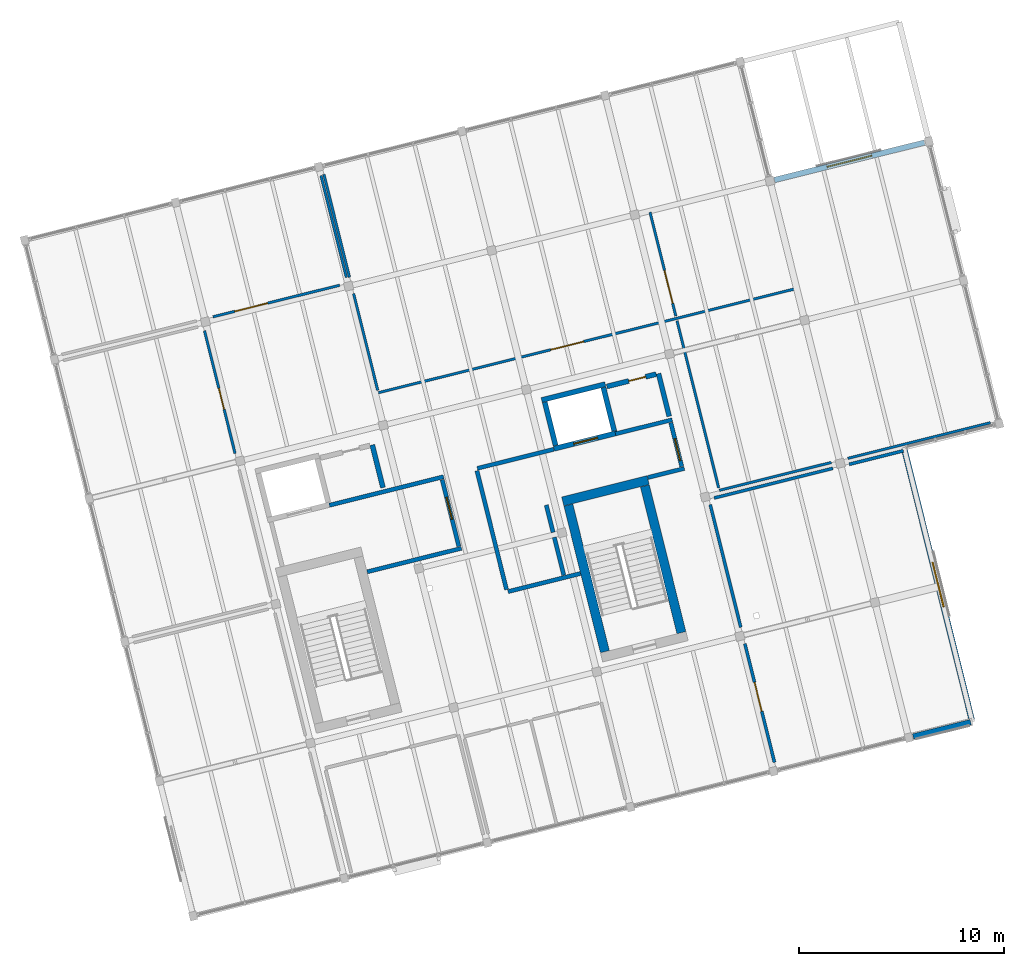
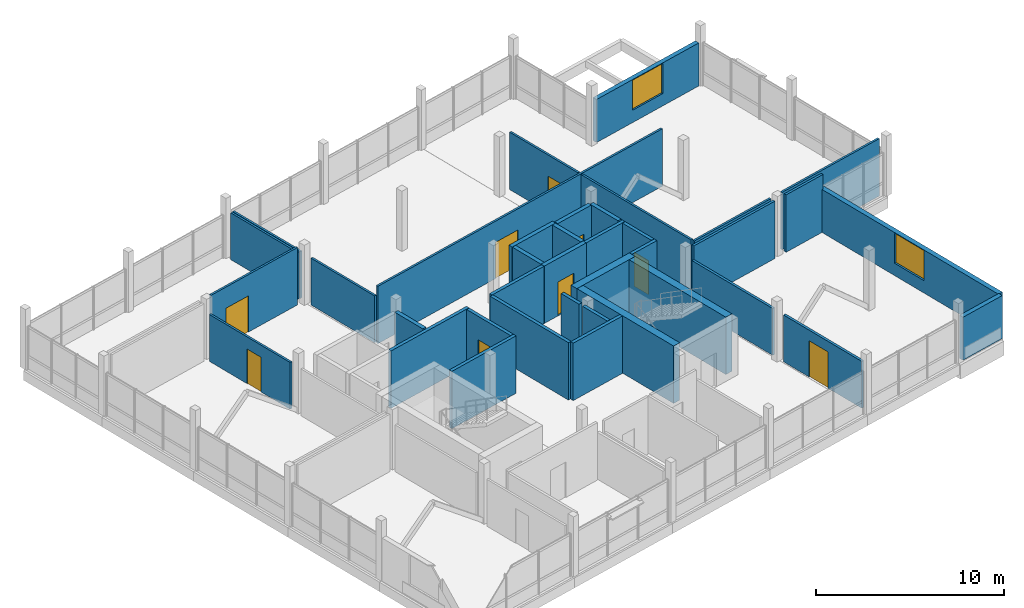
# One storey, part 25 of 27: 38 walls, 9 doors, 2 windows, 11 openings.
"""IFC4 building model written with IfcOpenShell, lengths in metres."""

from ifc_helpers import new_model, si_unit, direction, frame, frame_2d, origin, place, context, subcontext, project, spatial, rectangle, extrude, material, layer, layer_set, type_object, element, fill, save


model = new_model("IFC4")

# Units and contexts
model_context = context("Model", 3, precision=1e-05, world=origin(), true_north=direction((0.0, 1.0)))
body_context = subcontext(model_context, "Body", "Model", "MODEL_VIEW")
ifc_project = project(units=[si_unit("LENGTHUNIT", "METRE"), si_unit("AREAUNIT", "SQUARE_METRE"), si_unit("VOLUMEUNIT", "CUBIC_METRE"), si_unit("PLANEANGLEUNIT", "RADIAN"), si_unit("MASSUNIT", "GRAM", prefix="KILO")], contexts=[model_context])

# Site, building, storey
site_placement = place(None, origin())
site = spatial("IfcSite", under=ifc_project, at=site_placement, CompositionType="ELEMENT")
building_placement = place(site_placement, origin())
building = spatial("IfcBuilding", under=site, at=building_placement, Name="Meriwether Solvik Hall", CompositionType="ELEMENT")
storey_placement = place(building_placement, frame((0.0, 0.0, 33.89990234375)))
storey = spatial("IfcBuildingStorey", under=building, at=storey_placement, Name="L08", CompositionType="ELEMENT", Elevation=33.89990234375)

# Wall
ifc_material_1 = material(Name="Charred Western Red Cedar Timber and Mineral Wool", Category="wood")
ifc_layer_1 = layer(ifc_material_1, 0.27001953125)
ifc_layer_set_1 = layer_set([ifc_layer_1], Name="Charred Western Red Cedar Timber and Mineral Wool")
wall_type_1 = type_object("IfcWallType", Name="WALL-EXT-270", PredefinedType="SOLIDWALL", material=ifc_layer_set_1)
wall_1_placement = place(storey_placement, frame((106.557861328125, 50.6640625, 0.0), z_axis=(0.0, 0.0, 1.0), x_axis=(-0.97028604727, -0.241960712665, 0.0)))
element("IfcWall", 1, at=wall_1_placement, inside=storey, type_object=wall_type_1, Name="L08 Timber Rainscreen Wall 1.5", PredefinedType="SOLIDWALL", context=body_context, shape_type="SweptSolid", body=[
    extrude(rectangle(XDim=2.89794921875, YDim=0.27001953125, at=frame_2d((1.448974609375, 0.0))), origin(), (0.0, 0.0, 1.0), 2.7900390625),
])

# Wall, opening, window
wall_2_placement = place(storey_placement, frame((96.97216796875, 77.131103515625, 0.0), z_axis=(0.0, 0.0, 1.0), x_axis=(0.970290568044, 0.2419425832, 0.0)))
wall_2 = element("IfcWall", 2, at=wall_2_placement, inside=storey, type_object=wall_type_1, Name="L08 Timber Rainscreen Wall 5.0", PredefinedType="SOLIDWALL", context=body_context, shape_type="SweptSolid", body=[
    extrude(rectangle(XDim=7.555908203125, YDim=0.27001953125, at=frame_2d((3.77783203125, 0.0))), origin(), (0.0, 0.0, 1.0), 2.7900390625),
])
opening_1_placement = place(wall_2_placement, frame((2.653076171875, 0.0, 0.800048828125)))
opening_1 = element("IfcOpeningElement", 3, at=opening_1_placement, cuts=wall_2, Name="Opening WN-150", PredefinedType="OPENING", context=body_context, shape_type="SweptSolid", body=[
    extrude(rectangle(XDim=2.25, YDim=1.949951171875, at=frame_2d((1.125, 0.97509765625))), frame((0.0, 0.14697265625, 0.0), z_axis=(0.0, -1.0, 0.0), x_axis=(1.0, 0.0, 0.0)), (0.0, 0.0, 1.0), 0.2939453125),
])
ifc_material_2 = material(Name="Thermally Broken Anodised Aluminium and Triple Low-E Glass", Category="aluminium")
window_type = type_object("IfcWindowType", Name="WIN-TW-SHARD-225X195", PartitioningType="SINGLE_PANEL", PredefinedType="WINDOW", material=ifc_material_2)
window_1_placement = place(opening_1_placement, origin())
window_1 = element("IfcWindow", 4, at=window_1_placement, inside=storey, type_object=window_type, Name="L08 Punched Window 5.0", OverallHeight=1.949951171875, OverallWidth=2.25, PartitioningType="SINGLE_PANEL", PredefinedType="WINDOW", context=body_context, shape_type="SweptSolid", body=[
    extrude(rectangle(XDim=2.25, YDim=1.949951171875, at=frame_2d((1.125, 0.97509765625))), frame((0.0, 0.030029296875, 0.0), z_axis=(0.0, -1.0, 0.0), x_axis=(1.0, 0.0, 0.0)), (0.0, 0.0, 1.0), 0.06005859375),
])
fill(opening_1, window_1)

ifc_material_3 = material(Name="Cross-Laminated Timber and Mineral-Wool Insulation", Category="wood")
ifc_layer_2 = layer(ifc_material_3, 0.2900390625)
ifc_layer_set_2 = layer_set([ifc_layer_2], Name="Cross-Laminated Timber and Mineral-Wool Insulation")
wall_type_2 = type_object("IfcWallType", Name="WALL-EXT-290", PredefinedType="SOLIDWALL", material=ifc_layer_set_2)
wall_3_placement = place(storey_placement, frame((103.31640625, 63.995849609375, 0.0), z_axis=(0.0, 0.0, 1.0), x_axis=(0.241920698583, -0.970296024725, 0.0)))
wall_3 = element("IfcWall", 5, at=wall_3_placement, inside=storey, type_object=wall_type_2, Name="L08 Timber Rainscreen Wall 2.0", PredefinedType="SOLIDWALL", context=body_context, shape_type="SweptSolid", body=[
    extrude(rectangle(XDim=13.64013671875, YDim=0.2900390625, at=frame_2d((6.820068359375, 0.0))), origin(), (0.0, 0.0, 1.0), 2.7900390625),
])
opening_2_placement = place(wall_3_placement, frame((5.695068359375, 0.0, 0.800048828125)))
opening_2 = element("IfcOpeningElement", 6, at=opening_2_placement, cuts=wall_3, Name="Opening WN-150", PredefinedType="OPENING", context=body_context, shape_type="SweptSolid", body=[
    extrude(rectangle(XDim=2.25, YDim=1.949951171875, at=frame_2d((1.125, 0.97509765625))), frame((0.0, 0.156982421875, 0.0), z_axis=(0.0, -1.0, 0.0), x_axis=(1.0, 0.0, 0.0)), (0.0, 0.0, 1.0), 0.31396484375),
])
window_2_placement = place(opening_2_placement, origin())
window_2 = element("IfcWindow", 7, at=window_2_placement, inside=storey, type_object=window_type, Name="L08 Punched Window 2.0", OverallHeight=1.949951171875, OverallWidth=2.25, PartitioningType="SINGLE_PANEL", PredefinedType="WINDOW", context=body_context, shape_type="SweptSolid", body=[
    extrude(rectangle(XDim=2.25, YDim=1.949951171875, at=frame_2d((1.125, 0.97509765625))), frame((0.0, 0.030029296875, 0.0), z_axis=(0.0, -1.0, 0.0), x_axis=(1.0, 0.0, 0.0)), (0.0, 0.0, 1.0), 0.06005859375),
])
fill(opening_2, window_2)

# Walls
ifc_material_4 = material(Name="Fire-Rated Type X Gypsum Board", Category="gypsum")
ifc_layer_3 = layer(ifc_material_4, 0.199951171875)
ifc_layer_set_3 = layer_set([ifc_layer_3], Name="Fire-Rated Type X Gypsum Board")
wall_type_3 = type_object("IfcWallType", Name="WALL-FIRE-200", PredefinedType="STANDARD", material=ifc_layer_set_3)
wall_4_placement = place(storey_placement, frame((77.096923828125, 58.0048828125, 0.0), z_axis=(0.0, 0.0, 1.0), x_axis=(0.970305892741, 0.241881116483, 0.0)))
element("IfcWall", 8, at=wall_4_placement, inside=storey, type_object=wall_type_3, Name="L08 Interior Partition lb1_s", PredefinedType="STANDARD", context=body_context, shape_type="SweptSolid", body=[
    extrude(rectangle(XDim=4.73974609375, YDim=0.199951171875, at=frame_2d((2.369873046875, 0.0))), origin(), (0.0, 0.0, 1.0), 3.72021484375),
])
wall_5_placement = place(storey_placement, frame((75.24609375, 61.25341796875, 0.0), z_axis=(0.0, 0.0, 1.0), x_axis=(0.970292173201, 0.24193614576, 0.0)))
element("IfcWall", 9, at=wall_5_placement, inside=storey, type_object=wall_type_3, Name="L08 Interior Partition lb1_n_cap", PredefinedType="STANDARD", context=body_context, shape_type="SweptSolid", body=[
    extrude(rectangle(XDim=5.75, YDim=0.199951171875, at=frame_2d((2.875, 0.0))), origin(), (0.0, 0.0, 1.0), 3.72021484375),
])

# Wall, opening, door
wall_6_placement = place(storey_placement, frame((80.75732421875, 62.50390625, 0.0), z_axis=(0.0, 0.0, 1.0), x_axis=(0.241885902723, -0.970304699599, 0.0)))
wall_6 = element("IfcWall", 10, at=wall_6_placement, inside=storey, type_object=wall_type_3, Name="L08 Interior Partition lb1_e", PredefinedType="STANDARD", context=body_context, shape_type="SweptSolid", body=[
    extrude(rectangle(XDim=3.360107421875, YDim=0.199951171875, at=frame_2d((1.68017578125, 0.0))), origin(), (0.0, 0.0, 1.0), 3.72021484375),
])
opening_3_placement = place(wall_6_placement, frame((0.889892578125, 0.0, 0.0)))
opening_3 = element("IfcOpeningElement", 11, at=opening_3_placement, cuts=wall_6, Name="Opening D-168", PredefinedType="OPENING", context=body_context, shape_type="SweptSolid", body=[
    extrude(rectangle(XDim=1.10009765625, YDim=2.199951171875, at=frame_2d((0.550048828125, 1.10009765625))), frame((0.0, 0.11181640625, 0.0), z_axis=(0.0, -1.0, 0.0), x_axis=(1.0, 0.0, 0.0)), (0.0, 0.0, 1.0), 0.223876953125),
])
ifc_material_5 = material(Name="Steel A36 Galvanised", Category="steel")
door_type_1 = type_object("IfcDoorType", Name="DR-FD60-1100L", OperationType="SINGLE_SWING_LEFT", PredefinedType="DOOR", material=ifc_material_5)
door_1_placement = place(opening_3_placement, origin())
door_1 = element("IfcDoor", 12, at=door_1_placement, inside=storey, type_object=door_type_1, Name="West FSAE Lift Lobby Door (L08)", OperationType="SINGLE_SWING_LEFT", OverallHeight=2.199951171875, OverallWidth=1.10009765625, PredefinedType="DOOR", context=body_context, shape_type="SweptSolid", body=[
    extrude(rectangle(XDim=1.10009765625, YDim=2.199951171875, at=frame_2d((0.550048828125, 1.10009765625))), frame((0.0, 0.02490234375, 0.0), z_axis=(0.0, -1.0, 0.0), x_axis=(1.0, 0.0, 0.0)), (0.0, 0.0, 1.0), 0.050048828125),
])
fill(opening_3, door_1)

# Walls
wall_7_placement = place(storey_placement, frame((82.452880859375, 62.93701171875, 0.0), z_axis=(0.0, 0.0, 1.0), x_axis=(0.241891967324, -0.970303187743, 0.0)))
element("IfcWall", 13, at=wall_7_placement, inside=storey, type_object=wall_type_3, Name="L08 Interior Partition lb2_w", PredefinedType="STANDARD", context=body_context, shape_type="SweptSolid", body=[
    extrude(rectangle(XDim=5.97998046875, YDim=0.199951171875, at=frame_2d((2.989990234375, 0.0))), origin(), (0.0, 0.0, 1.0), 3.72021484375),
])
wall_8_placement = place(storey_placement, frame((83.972412109375, 57.03955078125, 0.0), z_axis=(0.0, 0.0, 1.0), x_axis=(0.97030000841, 0.241904720251, 0.0)))
element("IfcWall", 14, at=wall_8_placement, inside=storey, type_object=wall_type_3, Name="L08 Interior Partition lb2_s_w", PredefinedType="STANDARD", context=body_context, shape_type="SweptSolid", body=[
    extrude(rectangle(XDim=3.642333984375, YDim=0.199951171875, at=frame_2d((1.8212890625, 0.0))), origin(), (0.0, 0.0, 1.0), 3.72021484375),
])
wall_9_placement = place(storey_placement, frame((86.691650390625, 57.841064453125, 0.0), z_axis=(0.0, 0.0, 1.0), x_axis=(-0.241992731984, 0.970278062035, 0.0)))
element("IfcWall", 15, at=wall_9_placement, inside=storey, type_object=wall_type_3, Name="L08 Interior Partition lb2_e_low", PredefinedType="STANDARD", context=body_context, shape_type="SweptSolid", body=[
    extrude(rectangle(XDim=1.90478515625, YDim=0.199951171875, at=frame_2d((0.952392578125, 0.0))), origin(), (0.0, 0.0, 1.0), 3.72021484375),
])
wall_10_placement = place(storey_placement, frame((86.169921875, 59.932861328125, 0.0), z_axis=(0.0, 0.0, 1.0), x_axis=(-0.241824833036, 0.970319921535, 0.0)))
element("IfcWall", 16, at=wall_10_placement, inside=storey, type_object=wall_type_3, Name="L08 Interior Partition lb2_e_low_s2", PredefinedType="STANDARD", context=body_context, shape_type="SweptSolid", body=[
    extrude(rectangle(XDim=1.3740234375, YDim=0.199951171875, at=frame_2d((0.68701171875, 0.0))), origin(), (0.0, 0.0, 1.0), 3.72021484375),
])
wall_11_placement = place(storey_placement, frame((82.47265625, 63.05517578125, 0.0), z_axis=(0.0, 0.0, 1.0), x_axis=(0.970284368558, 0.241967444366, 0.0)))
element("IfcWall", 17, at=wall_11_placement, inside=storey, type_object=wall_type_3, Name="L08 Interior Partition lb2_n_cap_w", PredefinedType="STANDARD", context=body_context, shape_type="SweptSolid", body=[
    extrude(rectangle(XDim=3.84228515625, YDim=0.199951171875, at=frame_2d((1.921142578125, 0.0))), origin(), (0.0, 0.0, 1.0), 3.72021484375),
])
wall_12_placement = place(storey_placement, frame((90.791015625, 62.604248046875, 0.0), z_axis=(0.0, 0.0, 1.0), x_axis=(0.970306180373, 0.241879962645, 0.0)))
element("IfcWall", 18, at=wall_12_placement, inside=storey, type_object=wall_type_3, Name="L08 Interior Partition lb2_s", PredefinedType="STANDARD", context=body_context, shape_type="SweptSolid", body=[
    extrude(rectangle(XDim=1.840087890625, YDim=0.199951171875, at=frame_2d((0.919921875, 0.0))), origin(), (0.0, 0.0, 1.0), 3.72021484375),
])
wall_13_placement = place(storey_placement, frame((89.21826171875, 64.737060546875, 0.0), z_axis=(0.0, 0.0, 1.0), x_axis=(0.97027839681, 0.241991389687, 0.0)))
element("IfcWall", 19, at=wall_13_placement, inside=storey, type_object=wall_type_3, Name="L08 Interior Partition lb2_n_cap", PredefinedType="STANDARD", context=body_context, shape_type="SweptSolid", body=[
    extrude(rectangle(XDim=2.85009765625, YDim=0.199951171875, at=frame_2d((1.425048828125, 0.0))), origin(), (0.0, 0.0, 1.0), 3.72021484375),
])

# Wall, opening, door
wall_14_placement = place(storey_placement, frame((91.91552734375, 65.2861328125, 0.0), z_axis=(0.0, 0.0, 1.0), x_axis=(0.241911789465, -0.970298245963, 0.0)))
wall_14 = element("IfcWall", 20, at=wall_14_placement, inside=storey, type_object=wall_type_3, Name="L08 Interior Partition lb2_e", PredefinedType="STANDARD", context=body_context, shape_type="SweptSolid", body=[
    extrude(rectangle(XDim=2.210205078125, YDim=0.199951171875, at=frame_2d((1.10498046875, 0.0))), origin(), (0.0, 0.0, 1.0), 3.72021484375),
])
opening_4_placement = place(wall_14_placement, frame((0.81005859375, 0.0, 0.0)))
opening_4 = element("IfcOpeningElement", 21, at=opening_4_placement, cuts=wall_14, Name="Opening D-168", PredefinedType="OPENING", context=body_context, shape_type="SweptSolid", body=[
    extrude(rectangle(XDim=1.10009765625, YDim=2.199951171875, at=frame_2d((0.550048828125, 1.10009765625))), frame((0.0, 0.11181640625, 0.0), z_axis=(0.0, -1.0, 0.0), x_axis=(1.0, 0.0, 0.0)), (0.0, 0.0, 1.0), 0.223876953125),
])
door_2_placement = place(opening_4_placement, origin())
door_2 = element("IfcDoor", 22, at=door_2_placement, inside=storey, type_object=door_type_1, Name="East FSAE Lift Lobby Door (L08)", OperationType="SINGLE_SWING_LEFT", OverallHeight=2.199951171875, OverallWidth=1.10009765625, PredefinedType="DOOR", context=body_context, shape_type="SweptSolid", body=[
    extrude(rectangle(XDim=1.10009765625, YDim=2.199951171875, at=frame_2d((0.550048828125, 1.10009765625))), frame((0.0, 0.02490234375, 0.0), z_axis=(0.0, -1.0, 0.0), x_axis=(1.0, 0.0, 0.0)), (0.0, 0.0, 1.0), 0.050048828125),
])
fill(opening_4, door_2)

# Walls
ifc_material_6 = material(Name="Concrete C40/50", Category="concrete")
ifc_layer_4 = layer(ifc_material_6, 0.25)
ifc_layer_set_4 = layer_set([ifc_layer_4], Name="Concrete C40/50")
wall_type_4 = type_object("IfcWallType", Name="WALL-HOIST-250", PredefinedType="SHEAR", material=ifc_layer_set_4)
wall_15_placement = place(storey_placement, frame((88.716552734375, 67.162841796875, 0.0), z_axis=(0.0, 0.0, 1.0), x_axis=(-0.970294894235, -0.241925232711, 0.0)))
element("IfcWall", 23, at=wall_15_placement, inside=storey, type_object=wall_type_4, Name="Hoistway BANK2 North Wall (L08)", PredefinedType="SHEAR", context=body_context, shape_type="SweptSolid", body=[
    extrude(rectangle(XDim=3.199951171875, YDim=0.25, at=frame_2d((1.60009765625, 0.0))), origin(), (0.0, 0.0, 1.0), 3.72021484375),
])
for number, where, z_axis, x_axis, name in (
    (24, (85.765625, 66.287841796875, 0.0), (0.0, 0.0, 1.0), (0.241903146974, -0.970300400641, 0.0), "Hoistway BANK2 West Wall (L08)"),
    (25, (89.1552734375, 64.886474609375, 0.0), (0.0, 0.0, 1.0), (-0.241903146974, 0.970300400641, 0.0), "Hoistway BANK2 East Wall (L08)"),
):
    element("IfcWall", number, at=place(storey_placement, frame(where, z_axis=z_axis, x_axis=x_axis)), inside=storey, type_object=wall_type_4, Name=name, PredefinedType="SHEAR", context=body_context, shape_type="SweptSolid", body=[
        extrude(rectangle(XDim=2.179931640625, YDim=0.25, at=frame_2d((1.08984375, 0.0))), origin(), (0.0, 0.0, 1.0), 3.72021484375),
    ])

# Wall, opening, door
wall_16_placement = place(storey_placement, frame((86.204345703125, 64.011474609375, 0.0), z_axis=(0.0, 0.0, 1.0), x_axis=(0.970294894235, 0.241925232711, 0.0)))
wall_16 = element("IfcWall", 26, at=wall_16_placement, inside=storey, type_object=wall_type_4, Name="Lift LF-02 Landing Wall (L08)", PredefinedType="SHEAR", context=body_context, shape_type="SweptSolid", body=[
    extrude(rectangle(XDim=3.199951171875, YDim=0.25, at=frame_2d((1.60009765625, 0.0))), origin(), (0.0, 0.0, 1.0), 3.72021484375),
])
opening_5_placement = place(wall_16_placement, frame((1.0, 0.0, 0.0)))
opening_5 = element("IfcOpeningElement", 27, at=opening_5_placement, cuts=wall_16, Name="Opening LD-02", PredefinedType="OPENING", context=body_context, shape_type="SweptSolid", body=[
    extrude(rectangle(XDim=1.199951171875, YDim=2.199951171875, at=frame_2d((0.60009765625, 1.10009765625))), frame((0.0, 0.136962890625, 0.0), z_axis=(0.0, -1.0, 0.0), x_axis=(1.0, 0.0, 0.0)), (0.0, 0.0, 1.0), 0.27392578125),
])
ifc_material_7 = material(Name="Stainless Steel AISI 316", Category="steel")
door_type_2 = type_object("IfcDoorType", Name="DR-LIFT-FSAE", OperationType="DOUBLE_DOOR_SLIDING", PredefinedType="DOOR", material=ifc_material_7)
door_3_placement = place(opening_5_placement, origin())
door_3 = element("IfcDoor", 28, at=door_3_placement, inside=storey, type_object=door_type_2, Name="Lift Landing Door LF-02 (L08)", OperationType="DOUBLE_DOOR_SLIDING", OverallHeight=2.199951171875, OverallWidth=1.199951171875, PredefinedType="DOOR", context=body_context, shape_type="SweptSolid", body=[
    extrude(rectangle(XDim=1.199951171875, YDim=2.199951171875, at=frame_2d((0.60009765625, 1.10009765625))), frame((0.0, 0.02490234375, 0.0), z_axis=(0.0, -1.0, 0.0), x_axis=(1.0, 0.0, 0.0)), (0.0, 0.0, 1.0), 0.050048828125),
])
fill(opening_5, door_3)

ifc_material_8 = material(Name="Gypsum Board Partition", Category="gypsum")
ifc_layer_5 = layer(ifc_material_8, 0.125)
ifc_layer_set_5 = layer_set([ifc_layer_5], Name="Gypsum Board Partition")
wall_type_5 = type_object("IfcWallType", Name="WALL-PART-125", PredefinedType="PARTITIONING", material=ifc_layer_set_5)
wall_17_placement = place(storey_placement, frame((70.648193359375, 63.77978515625, 0.0), z_axis=(0.0, 0.0, 1.0), x_axis=(-0.241884380789, 0.970305078999, 0.0)))
wall_17 = element("IfcWall", 29, at=wall_17_placement, inside=storey, type_object=wall_type_5, Name="L08 Interior Partition off_w2_e_s2", PredefinedType="PARTITIONING", context=body_context, shape_type="SweptSolid", body=[
    extrude(rectangle(XDim=6.175048828125, YDim=0.125, at=frame_2d((3.08740234375, 0.0))), origin(), (0.0, 0.0, 1.0), 3.03515625),
])
opening_6_placement = place(wall_17_placement, frame((2.225341796875, 0.0, 0.0)))
opening_6 = element("IfcOpeningElement", 30, at=opening_6_placement, cuts=wall_17, Name="Opening D-164", PredefinedType="OPENING", context=body_context, shape_type="SweptSolid", body=[
    extrude(rectangle(XDim=1.050048828125, YDim=2.25, at=frame_2d((0.52490234375, 1.125))), frame((0.0, 0.074462890625, 0.0), z_axis=(0.0, -1.0, 0.0), x_axis=(1.0, 0.0, 0.0)), (0.0, 0.0, 1.0), 0.14892578125),
])
ifc_material_9 = material(Name="Solid-Core Rift White Oak Timber", Category="wood")
door_type_3 = type_object("IfcDoorType", Name="DR-FEL-1050R", OperationType="SINGLE_SWING_RIGHT", PredefinedType="DOOR", material=ifc_material_9)
door_4_placement = place(opening_6_placement, origin())
door_4 = element("IfcDoor", 31, at=door_4_placement, inside=storey, type_object=door_type_3, Name="L08 Legal Aid Clinic Suite Door", OperationType="SINGLE_SWING_RIGHT", OverallHeight=2.25, OverallWidth=1.050048828125, PredefinedType="DOOR", context=body_context, shape_type="SweptSolid", body=[
    extrude(rectangle(XDim=1.050048828125, YDim=2.25, at=frame_2d((0.52490234375, 1.125))), frame((0.0, 0.02490234375, 0.0), z_axis=(0.0, -1.0, 0.0), x_axis=(1.0, 0.0, 0.0)), (0.0, 0.0, 1.0), 0.050048828125),
])
fill(opening_6, door_4)

wall_18_placement = place(storey_placement, frame((69.5654296875, 70.452392578125, 0.0), z_axis=(0.0, 0.0, 1.0), x_axis=(0.970297736337, 0.241913833542, 0.0)))
wall_18 = element("IfcWall", 32, at=wall_18_placement, inside=storey, type_object=wall_type_5, Name="L08 Interior Partition wk_nw_s_s2", PredefinedType="PARTITIONING", context=body_context, shape_type="SweptSolid", body=[
    extrude(rectangle(XDim=6.375244140625, YDim=0.125, at=frame_2d((3.1875, 0.0))), origin(), (0.0, 0.0, 1.0), 3.72021484375),
])
opening_7_placement = place(wall_18_placement, frame((1.098388671875, 0.0, 0.0)))
opening_7 = element("IfcOpeningElement", 33, at=opening_7_placement, cuts=wall_18, Name="Opening D-137", PredefinedType="OPENING", context=body_context, shape_type="SweptSolid", body=[
    extrude(rectangle(XDim=1.64990234375, YDim=2.35009765625, at=frame_2d((0.824951171875, 1.175048828125))), frame((0.0, 0.074462890625, 0.0), z_axis=(0.0, -1.0, 0.0), x_axis=(1.0, 0.0, 0.0)), (0.0, 0.0, 1.0), 0.14892578125),
])
ifc_material_10 = material(Name="Laminated Vision Glass and Solid White Oak Timber", Category="wood")
door_type_4 = type_object("IfcDoorType", Name="DR-INT-1650", OperationType="DOUBLE_DOOR_SINGLE_SWING", PredefinedType="DOOR", material=ifc_material_10)
door_5_placement = place(opening_7_placement, origin())
door_5 = element("IfcDoor", 34, at=door_5_placement, inside=storey, type_object=door_type_4, Name="L08 Open Civic Studio West Door", OperationType="DOUBLE_DOOR_SINGLE_SWING", OverallHeight=2.35009765625, OverallWidth=1.64990234375, PredefinedType="DOOR", context=body_context, shape_type="SweptSolid", body=[
    extrude(rectangle(XDim=1.64990234375, YDim=2.35009765625, at=frame_2d((0.824951171875, 1.175048828125))), frame((0.0, 0.02490234375, 0.0), z_axis=(0.0, -1.0, 0.0), x_axis=(1.0, 0.0, 0.0)), (0.0, 0.0, 1.0), 0.050048828125),
])
fill(opening_7, door_5)

# Wall
wall_19_placement = place(storey_placement, frame((76.08056640625, 72.3740234375, 0.0), z_axis=(0.0, 0.0, 1.0), x_axis=(-0.241941301347, 0.970290887674, 0.0)))
element("IfcWall", 35, at=wall_19_placement, inside=storey, type_object=wall_type_5, Name="L08 Interior Partition wk_nw_e", PredefinedType="PARTITIONING", context=body_context, shape_type="SweptSolid", body=[
    extrude(rectangle(XDim=5.123046875, YDim=0.125, at=frame_2d((2.5615234375, 0.0))), origin(), (0.0, 0.0, 1.0), 3.03515625),
])

# Wall, opening, door
wall_20_placement = place(storey_placement, frame((77.638427734375, 66.745361328125, 0.0), z_axis=(0.0, 0.0, 1.0), x_axis=(0.970296248646, 0.241919800477, 0.0)))
wall_20 = element("IfcWall", 36, at=wall_20_placement, inside=storey, type_object=wall_type_5, Name="L08 Interior Partition wk_nc_s", PredefinedType="PARTITIONING", context=body_context, shape_type="SweptSolid", body=[
    extrude(rectangle(XDim=20.989990234375, YDim=0.125, at=frame_2d((10.4951171875, 0.0))), origin(), (0.0, 0.0, 1.0), 3.72021484375),
])
opening_8_placement = place(wall_20_placement, frame((8.68115234375, 0.0, 0.0)))
opening_8 = element("IfcOpeningElement", 37, at=opening_8_placement, cuts=wall_20, Name="Opening D-137", PredefinedType="OPENING", context=body_context, shape_type="SweptSolid", body=[
    extrude(rectangle(XDim=1.64990234375, YDim=2.35009765625, at=frame_2d((0.824951171875, 1.175048828125))), frame((0.0, 0.074462890625, 0.0), z_axis=(0.0, -1.0, 0.0), x_axis=(1.0, 0.0, 0.0)), (0.0, 0.0, 1.0), 0.14892578125),
])
door_6_placement = place(opening_8_placement, origin())
door_6 = element("IfcDoor", 38, at=door_6_placement, inside=storey, type_object=door_type_4, Name="L08 Urban Planning Research Studio Door", OperationType="DOUBLE_DOOR_SINGLE_SWING", OverallHeight=2.35009765625, OverallWidth=1.64990234375, PredefinedType="DOOR", context=body_context, shape_type="SweptSolid", body=[
    extrude(rectangle(XDim=1.64990234375, YDim=2.35009765625, at=frame_2d((0.824951171875, 1.175048828125))), frame((0.0, 0.02490234375, 0.0), z_axis=(0.0, -1.0, 0.0), x_axis=(1.0, 0.0, 0.0)), (0.0, 0.0, 1.0), 0.050048828125),
])
fill(opening_8, door_6)

# Walls
wall_21_placement = place(storey_placement, frame((74.980712890625, 77.405517578125, 0.0), z_axis=(0.0, 0.0, 1.0), x_axis=(0.241925047615, -0.970294940385, 0.0)))
element("IfcWall", 39, at=wall_21_placement, inside=storey, type_object=wall_type_5, Name="L08 Interior Partition wk_nc_w", PredefinedType="PARTITIONING", context=body_context, shape_type="SweptSolid", body=[
    extrude(rectangle(XDim=5.175048828125, YDim=0.125, at=frame_2d((2.58740234375, 0.0))), origin(), (0.0, 0.0, 1.0), 3.03515625),
])
wall_22_placement = place(storey_placement, frame((76.43212890625, 71.583740234375, 0.0), z_axis=(0.0, 0.0, 1.0), x_axis=(0.241909950511, -0.970298704443, 0.0)))
element("IfcWall", 40, at=wall_22_placement, inside=storey, type_object=wall_type_5, Name="L08 Interior Partition wk_nc_w_s2", PredefinedType="PARTITIONING", context=body_context, shape_type="SweptSolid", body=[
    extrude(rectangle(XDim=4.866455078125, YDim=0.125, at=frame_2d((2.43310546875, 0.0))), origin(), (0.0, 0.0, 1.0), 3.03515625),
])
wall_23_placement = place(storey_placement, frame((94.28564453125, 61.981201171875, 0.0), z_axis=(0.0, 0.0, 1.0), x_axis=(0.970297669748, 0.241914100624, 0.0)))
element("IfcWall", 41, at=wall_23_placement, inside=storey, type_object=wall_type_5, Name="L08 Interior Partition east_wing_s", PredefinedType="PARTITIONING", context=body_context, shape_type="SweptSolid", body=[
    extrude(rectangle(XDim=5.638427734375, YDim=0.125, at=frame_2d((2.8193359375, 0.0))), origin(), (0.0, 0.0, 1.0), 3.72021484375),
])
wall_24_placement = place(storey_placement, frame((100.55712890625, 63.544921875, 0.0), z_axis=(0.0, 0.0, 1.0), x_axis=(0.970294426978, 0.241927106741, 0.0)))
element("IfcWall", 42, at=wall_24_placement, inside=storey, type_object=wall_type_5, Name="L08 Interior Partition east_wing_s_s2", PredefinedType="PARTITIONING", context=body_context, shape_type="SweptSolid", body=[
    extrude(rectangle(XDim=7.175048828125, YDim=0.125, at=frame_2d((3.58740234375, 0.0))), origin(), (0.0, 0.0, 1.0), 3.72021484375),
])

# Wall, opening, door
wall_25_placement = place(storey_placement, frame((90.901123046875, 75.5556640625, 0.0), z_axis=(0.0, 0.0, 1.0), x_axis=(0.241897292077, -0.970301860292, 0.0)))
wall_25 = element("IfcWall", 43, at=wall_25_placement, inside=storey, type_object=wall_type_5, Name="L08 Interior Partition east_wing_w", PredefinedType="PARTITIONING", context=body_context, shape_type="SweptSolid", body=[
    extrude(rectangle(XDim=5.219970703125, YDim=0.125, at=frame_2d((2.60986328125, 0.0))), origin(), (0.0, 0.0, 1.0), 3.72021484375),
])
opening_9_placement = place(wall_25_placement, frame((2.927734375, 0.0, 0.0)))
opening_9 = element("IfcOpeningElement", 44, at=opening_9_placement, cuts=wall_25, Name="Opening D-137", PredefinedType="OPENING", context=body_context, shape_type="SweptSolid", body=[
    extrude(rectangle(XDim=1.64990234375, YDim=2.35009765625, at=frame_2d((0.824951171875, 1.175048828125))), frame((0.0, 0.074462890625, 0.0), z_axis=(0.0, -1.0, 0.0), x_axis=(1.0, 0.0, 0.0)), (0.0, 0.0, 1.0), 0.14892578125),
])
door_7_placement = place(opening_9_placement, origin())
door_7 = element("IfcDoor", 45, at=door_7_placement, inside=storey, type_object=door_type_4, Name="L08 East Wing Collaborative Workplace Door", OperationType="DOUBLE_DOOR_SINGLE_SWING", OverallHeight=2.35009765625, OverallWidth=1.64990234375, PredefinedType="DOOR", context=body_context, shape_type="SweptSolid", body=[
    extrude(rectangle(XDim=1.64990234375, YDim=2.35009765625, at=frame_2d((0.824951171875, 1.175048828125))), frame((0.0, 0.02490234375, 0.0), z_axis=(0.0, -1.0, 0.0), x_axis=(1.0, 0.0, 0.0)), (0.0, 0.0, 1.0), 0.050048828125),
])
fill(opening_9, door_7)

# Walls
wall_26_placement = place(storey_placement, frame((92.221923828125, 70.2578125, 0.0), z_axis=(0.0, 0.0, 1.0), x_axis=(0.241934490518, -0.970292585923, 0.0)))
element("IfcWall", 46, at=wall_26_placement, inside=storey, type_object=wall_type_5, Name="L08 Interior Partition east_wing_w_s2", PredefinedType="PARTITIONING", context=body_context, shape_type="SweptSolid", body=[
    extrude(rectangle(XDim=8.409912109375, YDim=0.125, at=frame_2d((4.205078125, 0.0))), origin(), (0.0, 0.0, 1.0), 3.72021484375),
])
ifc_material_11 = material(Name="Gypsum Board Partition", Category="gypsum")
ifc_layer_6 = layer(ifc_material_11, 0.14990234375)
ifc_layer_set_6 = layer_set([ifc_layer_6], Name="Gypsum Board Partition")
wall_type_6 = type_object("IfcWallType", Name="WALL-PART-150", PredefinedType="PARTITIONING", material=ifc_layer_set_6)
wall_27_placement = place(storey_placement, frame((103.275146484375, 63.913330078125, 0.0), z_axis=(0.0, 0.0, 1.0), x_axis=(-0.970289695095, -0.241946084059, 0.0)))
element("IfcWall", 47, at=wall_27_placement, inside=storey, type_object=wall_type_6, Name="L08 Interior Partition shard_e_n", PredefinedType="PARTITIONING", context=body_context, shape_type="SweptSolid", body=[
    extrude(rectangle(XDim=2.728515625, YDim=0.14990234375, at=frame_2d((1.3642578125, 0.0))), origin(), (0.0, 0.0, 1.0), 3.72021484375),
])
wall_28_placement = place(storey_placement, frame((99.8271484375, 63.0537109375, 0.0), z_axis=(0.0, 0.0, 1.0), x_axis=(-0.970293732071, -0.24192989378, 0.0)))
element("IfcWall", 48, at=wall_28_placement, inside=storey, type_object=wall_type_6, Name="L08 Interior Partition shard_e_n_s2", PredefinedType="PARTITIONING", context=body_context, shape_type="SweptSolid", body=[
    extrude(rectangle(XDim=5.97509765625, YDim=0.14990234375, at=frame_2d((2.987548828125, 0.0))), origin(), (0.0, 0.0, 1.0), 3.72021484375),
])
wall_29_placement = place(storey_placement, frame((93.839599609375, 61.289306640625, 0.0), z_axis=(0.0, 0.0, 1.0), x_axis=(0.241921603562, -0.970295799089, 0.0)))
element("IfcWall", 49, at=wall_29_placement, inside=storey, type_object=wall_type_6, Name="L08 Interior Partition shard_e_w", PredefinedType="PARTITIONING", context=body_context, shape_type="SweptSolid", body=[
    extrude(rectangle(XDim=6.175048828125, YDim=0.14990234375, at=frame_2d((3.08740234375, 0.0))), origin(), (0.0, 0.0, 1.0), 3.03515625),
])

# Wall, opening, door
wall_30_placement = place(storey_placement, frame((95.533203125, 54.497314453125, 0.0), z_axis=(0.0, 0.0, 1.0), x_axis=(0.24192989378, -0.970293732071, 0.0)))
wall_30 = element("IfcWall", 50, at=wall_30_placement, inside=storey, type_object=wall_type_6, Name="L08 Interior Partition shard_e_w_s2", PredefinedType="PARTITIONING", context=body_context, shape_type="SweptSolid", body=[
    extrude(rectangle(XDim=5.97509765625, YDim=0.14990234375, at=frame_2d((2.987548828125, 0.0))), origin(), (0.0, 0.0, 1.0), 3.03515625),
])
opening_10_placement = place(wall_30_placement, frame((1.9453125, 0.0, 0.0)))
opening_10 = element("IfcOpeningElement", 51, at=opening_10_placement, cuts=wall_30, Name="Opening D-152", PredefinedType="OPENING", context=body_context, shape_type="SweptSolid", body=[
    extrude(rectangle(XDim=1.449951171875, YDim=2.35009765625, at=frame_2d((0.72509765625, 1.175048828125))), frame((0.0, 0.0869140625, 0.0), z_axis=(0.0, -1.0, 0.0), x_axis=(1.0, 0.0, 0.0)), (0.0, 0.0, 1.0), 0.173828125),
])
ifc_material_12 = material(Name="Laminated Vision Glass and Solid White Oak Timber", Category="wood")
door_type_5 = type_object("IfcDoorType", Name="DR-CONF-1450", OperationType="DOUBLE_DOOR_SINGLE_SWING", PredefinedType="DOOR", material=ifc_material_12)
door_8_placement = place(opening_10_placement, origin())
door_8 = element("IfcDoor", 52, at=door_8_placement, inside=storey, type_object=door_type_5, Name="L08 East Shard Conference Room Door", OperationType="DOUBLE_DOOR_SINGLE_SWING", OverallHeight=2.35009765625, OverallWidth=1.449951171875, PredefinedType="DOOR", context=body_context, shape_type="SweptSolid", body=[
    extrude(rectangle(XDim=1.449951171875, YDim=2.35009765625, at=frame_2d((0.72509765625, 1.175048828125))), frame((0.0, 0.02490234375, 0.0), z_axis=(0.0, -1.0, 0.0), x_axis=(1.0, 0.0, 0.0)), (0.0, 0.0, 1.0), 0.050048828125),
])
fill(opening_10, door_8)

# Walls
ifc_material_13 = material(Name="Concrete C45/55", Category="concrete")
ifc_layer_7 = layer(ifc_material_13, 0.449951171875)
ifc_layer_set_7 = layer_set([ifc_layer_7], Name="Concrete C45/55")
wall_type_7 = type_object("IfcWallType", Name="WALL-RC-450", PredefinedType="SHEAR", material=ifc_layer_set_7)
wall_31_placement = place(storey_placement, frame((90.8115234375, 62.48046875, 0.0), z_axis=(0.0, 0.0, 1.0), x_axis=(-0.970309259708, -0.2418676095, 0.0)))
element("IfcWall", 53, at=wall_31_placement, inside=storey, type_object=wall_type_7, Name="CORE-2 Shear Wall N (L08)", PredefinedType="SHEAR", context=body_context, shape_type="SweptSolid", body=[
    extrude(rectangle(XDim=4.300048828125, YDim=0.449951171875, at=frame_2d((2.14990234375, 0.0))), origin(), (0.0, 0.0, 1.0), 3.72021484375),
])
for number, where, z_axis, x_axis, name in (
    (54, (86.91455078125, 61.266845703125, 0.0), (0.0, 0.0, 1.0), (0.241889515465, -0.970303798976, 0.0), "CORE-2 Shear Wall W (L08)"),
    (55, (92.435546875, 55.037353515625, 0.0), (0.0, 0.0, 1.0), (-0.241920660665, 0.970296034179, 0.0), "CORE-2 Shear Wall E (L08)"),
):
    element("IfcWall", number, at=place(storey_placement, frame(where, z_axis=z_axis, x_axis=x_axis)), inside=storey, type_object=wall_type_7, Name=name, PredefinedType="SHEAR", context=body_context, shape_type="SweptSolid", body=[
        extrude(rectangle(XDim=7.380126953125, YDim=0.449951171875, at=frame_2d((3.68994140625, 0.0))), origin(), (0.0, 0.0, 1.0), 3.72021484375),
    ])
ifc_material_14 = material(Name="Concrete C35/45", Category="concrete")
ifc_layer_8 = layer(ifc_material_14, 0.239990234375)
ifc_layer_set_8 = layer_set([ifc_layer_8], Name="Concrete C35/45")
wall_type_8 = type_object("IfcWallType", Name="WALL-SHAFT-240", PredefinedType="STANDARD", material=ifc_layer_set_8)
for number, where, z_axis, x_axis, name in (
    (56, (77.865966796875, 62.11279296875, 0.0), (0.0, 0.0, 1.0), (-0.2418676095, 0.970309259708, 0.0), "L08 Interior Partition riser1_e"),
    (57, (91.838134765625, 65.596435546875, 0.0), (0.0, 0.0, 1.0), (-0.2418676095, 0.970309259708, 0.0), "L08 Interior Partition riser2_e"),
):
    element("IfcWall", number, at=place(storey_placement, frame(where, z_axis=z_axis, x_axis=x_axis)), inside=storey, type_object=wall_type_8, Name=name, PredefinedType="STANDARD", context=body_context, shape_type="SweptSolid", body=[
        extrude(rectangle(XDim=2.14990234375, YDim=0.239990234375, at=frame_2d((1.074951171875, 0.0))), origin(), (0.0, 0.0, 1.0), 3.72021484375),
    ])

# Wall, opening, door
wall_32_placement = place(storey_placement, frame((91.20166015625, 67.653564453125, 0.0), z_axis=(0.0, 0.0, 1.0), x_axis=(-0.970304433136, -0.241886971613, 0.0)))
wall_32 = element("IfcWall", 58, at=wall_32_placement, inside=storey, type_object=wall_type_8, Name="L08 Interior Partition riser2_n", PredefinedType="STANDARD", context=body_context, shape_type="SweptSolid", body=[
    extrude(rectangle(XDim=2.47998046875, YDim=0.239990234375, at=frame_2d((1.239990234375, 0.0))), origin(), (0.0, 0.0, 1.0), 3.72021484375),
])
opening_11_placement = place(wall_32_placement, frame((0.530029296875, 0.0, 0.0)))
opening_11 = element("IfcOpeningElement", 59, at=opening_11_placement, cuts=wall_32, Name="Opening D-186", PredefinedType="OPENING", context=body_context, shape_type="SweptSolid", body=[
    extrude(rectangle(XDim=0.85009765625, YDim=2.10009765625, at=frame_2d((0.425048828125, 1.050048828125))), frame((0.0, 0.1318359375, 0.0), z_axis=(0.0, -1.0, 0.0), x_axis=(1.0, 0.0, 0.0)), (0.0, 0.0, 1.0), 0.263916015625),
])
ifc_material_15 = material(Name="Steel A36 Galvanised", Category="steel")
door_type_6 = type_object("IfcDoorType", Name="DR-FD60-850R", OperationType="SINGLE_SWING_RIGHT", PredefinedType="DOOR", material=ifc_material_15)
door_9_placement = place(opening_11_placement, origin())
door_9 = element("IfcDoor", 60, at=door_9_placement, inside=storey, type_object=door_type_6, Name="Electrical Riser Closet Door (L08)", OperationType="SINGLE_SWING_RIGHT", OverallHeight=2.10009765625, OverallWidth=0.85009765625, PredefinedType="DOOR", context=body_context, shape_type="SweptSolid", body=[
    extrude(rectangle(XDim=0.85009765625, YDim=2.10009765625, at=frame_2d((0.425048828125, 1.050048828125))), frame((0.0, 0.02490234375, 0.0), z_axis=(0.0, -1.0, 0.0), x_axis=(1.0, 0.0, 0.0)), (0.0, 0.0, 1.0), 0.050048828125),
])
fill(opening_11, door_9)

save(model, "model.ifc")
